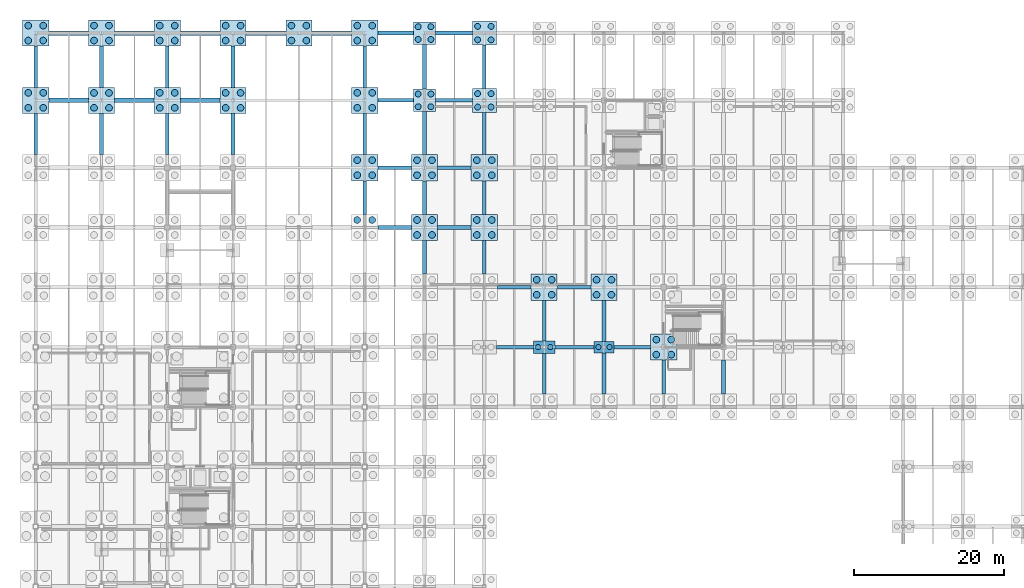
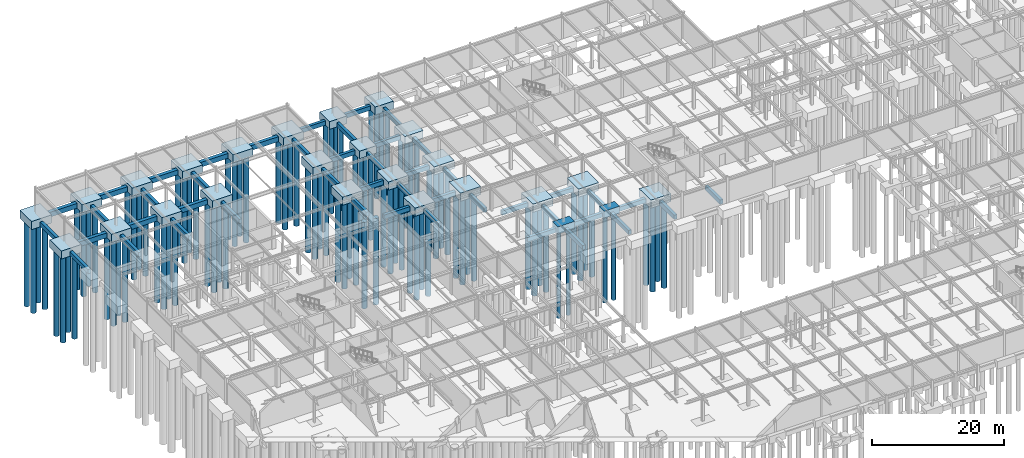
# One storey, part 7 of 72: 98 piles, 71 footings.
"""IFC4 building model written with IfcOpenShell, lengths in metres."""

from ifc_helpers import new_model, si_unit, direction, frame, origin, origin_2d, place, context, subcontext, project, spatial, rectangle, circle, extrude, material, material_profile, profile_set, type_object, element, save


model = new_model("IFC4")

# Units and contexts
model_context = context("Model", 3, precision=1e-05, world=origin(), true_north=direction((0.0, 1.0)))
body_context = subcontext(model_context, "Body", "Model", "MODEL_VIEW")
ifc_project = project(units=[si_unit("LENGTHUNIT", "METRE"), si_unit("AREAUNIT", "SQUARE_METRE"), si_unit("VOLUMEUNIT", "CUBIC_METRE"), si_unit("PLANEANGLEUNIT", "RADIAN"), si_unit("MASSUNIT", "GRAM", prefix="KILO")], contexts=[model_context])

# Site, building, storey
site_placement = place(None, origin())
site = spatial("IfcSite", under=ifc_project, at=site_placement, CompositionType="ELEMENT")
building_placement = place(site_placement, origin())
building = spatial("IfcBuilding", under=site, at=building_placement, Name="Zhaolan Boulevard Law Courts", CompositionType="ELEMENT")
storey_placement = place(building_placement, frame((0.0, 0.0, -4.800048828125)))
storey = spatial("IfcBuildingStorey", under=building, at=storey_placement, Name="B1", CompositionType="ELEMENT", Elevation=-4.800048828125)

# Piles
ifc_material_1 = material(Name="Concrete C40", Category="concrete")
ifc_material_profile_1 = material_profile(ifc_material_1, circle(Radius=0.35009765625, at=origin_2d()), Name="PILE-D700")
ifc_profile_set_1 = profile_set([ifc_material_profile_1], Name="Concrete C40")
pile_type_1 = type_object("IfcPileType", Name="BORED PILE D700", PredefinedType="BORED", material=ifc_profile_set_1)
for number, where, z_axis, x_axis, name in (
    (1, (67.179931640625, 70.0, -1.25), (0.0, 0.0, -1.0), (1.0, 0.0, 0.0), "Bored Pile P-9K-1"),
    (2, (68.820068359375, 70.0, -1.25), (0.0, 0.0, -1.0), (1.0, 0.0, 0.0), "Bored Pile P-9K-2"),
):
    element("IfcPile", number, at=place(storey_placement, frame(where, z_axis=z_axis, x_axis=x_axis)), inside=storey, type_object=pile_type_1, Name=name, PredefinedType="BORED", context=body_context, shape_type="SweptSolid", body=[
        extrude(circle(Radius=0.35009765625, at=origin_2d()), origin(), (0.0, 0.0, 1.0), 16.14990234375),
    ])
for number, where, z_axis, x_axis, name in (
    (3, (75.25, 70.0, -1.199951171875), (0.0, 0.0, -1.0), (1.0, 0.0, 0.0), "Bored Pile P-10K-1"),
    (4, (76.75, 70.0, -1.199951171875), (0.0, 0.0, -1.0), (1.0, 0.0, 0.0), "Bored Pile P-10K-2"),
):
    element("IfcPile", number, at=place(storey_placement, frame(where, z_axis=z_axis, x_axis=x_axis)), inside=storey, type_object=pile_type_1, Name=name, PredefinedType="BORED", context=body_context, shape_type="SweptSolid", body=[
        extrude(circle(Radius=0.35009765625, at=origin_2d()), origin(), (0.0, 0.0, 1.0), 16.199951171875),
    ])
ifc_material_2 = material(Name="Concrete C40", Category="concrete")
ifc_material_profile_2 = material_profile(ifc_material_2, circle(Radius=0.39990234375, at=origin_2d()), Name="PILE-D800")
ifc_profile_set_2 = profile_set([ifc_material_profile_2], Name="Concrete C40")
pile_type_2 = type_object("IfcPileType", Name="BORED PILE D800", PredefinedType="BORED", material=ifc_profile_set_2)
for number, where, z_axis, x_axis, name in (
    (5, (51.14990234375, 102.14990234375, -1.300048828125), (0.0, 0.0, -1.0), (1.0, 0.0, 0.0), "Bored Pile P-7P-1"),
    (6, (52.85009765625, 102.14990234375, -1.300048828125), (0.0, 0.0, -1.0), (1.0, 0.0, 0.0), "Bored Pile P-7P-2"),
    (7, (51.14990234375, 103.85009765625, -1.300048828125), (0.0, 0.0, -1.0), (1.0, 0.0, 0.0), "Bored Pile P-7P-3"),
    (8, (52.85009765625, 103.85009765625, -1.300048828125), (0.0, 0.0, -1.0), (1.0, 0.0, 0.0), "Bored Pile P-7P-4"),
    (9, (51.14990234375, 111.14990234375, -1.300048828125), (0.0, 0.0, -1.0), (1.0, 0.0, 0.0), "Bored Pile P-7Q-1"),
    (10, (52.85009765625, 111.14990234375, -1.300048828125), (0.0, 0.0, -1.0), (1.0, 0.0, 0.0), "Bored Pile P-7Q-2"),
    (11, (51.14990234375, 112.85009765625, -1.300048828125), (0.0, 0.0, -1.0), (1.0, 0.0, 0.0), "Bored Pile P-7Q-3"),
    (12, (52.85009765625, 112.85009765625, -1.300048828125), (0.0, 0.0, -1.0), (1.0, 0.0, 0.0), "Bored Pile P-7Q-4"),
):
    element("IfcPile", number, at=place(storey_placement, frame(where, z_axis=z_axis, x_axis=x_axis)), inside=storey, type_object=pile_type_2, Name=name, PredefinedType="BORED", context=body_context, shape_type="SweptSolid", body=[
        extrude(circle(Radius=0.39990234375, at=origin_2d()), origin(), (0.0, 0.0, 1.0), 16.10009765625),
    ])
for number, where, z_axis, x_axis, name in (
    (13, (59.10009765625, 102.10009765625, -1.349853515625), (0.0, 0.0, -1.0), (1.0, 0.0, 0.0), "Bored Pile P-8P-1"),
    (14, (60.89990234375, 102.10009765625, -1.349853515625), (0.0, 0.0, -1.0), (1.0, 0.0, 0.0), "Bored Pile P-8P-2"),
    (15, (59.10009765625, 103.89990234375, -1.349853515625), (0.0, 0.0, -1.0), (1.0, 0.0, 0.0), "Bored Pile P-8P-3"),
    (16, (60.89990234375, 103.89990234375, -1.349853515625), (0.0, 0.0, -1.0), (1.0, 0.0, 0.0), "Bored Pile P-8P-4"),
    (17, (59.10009765625, 111.10009765625, -1.349853515625), (0.0, 0.0, -1.0), (1.0, 0.0, 0.0), "Bored Pile P-8Q-1"),
    (18, (60.89990234375, 111.10009765625, -1.349853515625), (0.0, 0.0, -1.0), (1.0, 0.0, 0.0), "Bored Pile P-8Q-2"),
    (19, (59.10009765625, 112.89990234375, -1.349853515625), (0.0, 0.0, -1.0), (1.0, 0.0, 0.0), "Bored Pile P-8Q-3"),
    (20, (60.89990234375, 112.89990234375, -1.349853515625), (0.0, 0.0, -1.0), (1.0, 0.0, 0.0), "Bored Pile P-8Q-4"),
):
    element("IfcPile", number, at=place(storey_placement, frame(where, z_axis=z_axis, x_axis=x_axis)), inside=storey, type_object=pile_type_2, Name=name, PredefinedType="BORED", context=body_context, shape_type="SweptSolid", body=[
        extrude(circle(Radius=0.39990234375, at=origin_2d()), origin(), (0.0, 0.0, 1.0), 16.050048828125),
    ])
ifc_material_3 = material(Name="Concrete C40", Category="concrete")
ifc_material_profile_3 = material_profile(ifc_material_3, circle(Radius=0.449951171875, at=origin_2d()), Name="PILE-D900")
ifc_profile_set_3 = profile_set([ifc_material_profile_3], Name="Concrete C40")
pile_type_3 = type_object("IfcPileType", Name="BORED PILE D900", PredefinedType="BORED", material=ifc_profile_set_3)
for number, where, z_axis, x_axis, name in (
    (21, (-1.0, 102.0, -1.39990234375), (0.0, 0.0, -1.0), (1.0, 0.0, 0.0), "Bored Pile P-1P-1"),
    (22, (1.0, 102.0, -1.39990234375), (0.0, 0.0, -1.0), (1.0, 0.0, 0.0), "Bored Pile P-1P-2"),
    (23, (-1.0, 104.0, -1.39990234375), (0.0, 0.0, -1.0), (1.0, 0.0, 0.0), "Bored Pile P-1P-3"),
    (24, (1.0, 104.0, -1.39990234375), (0.0, 0.0, -1.0), (1.0, 0.0, 0.0), "Bored Pile P-1P-4"),
    (25, (-1.0, 111.0, -1.39990234375), (0.0, 0.0, -1.0), (1.0, 0.0, 0.0), "Bored Pile P-1Q-1"),
    (26, (1.0, 111.0, -1.39990234375), (0.0, 0.0, -1.0), (1.0, 0.0, 0.0), "Bored Pile P-1Q-2"),
    (27, (-1.0, 113.0, -1.39990234375), (0.0, 0.0, -1.0), (1.0, 0.0, 0.0), "Bored Pile P-1Q-3"),
    (28, (1.0, 113.0, -1.39990234375), (0.0, 0.0, -1.0), (1.0, 0.0, 0.0), "Bored Pile P-1Q-4"),
    (29, (7.800048828125, 102.0, -1.39990234375), (0.0, 0.0, -1.0), (1.0, 0.0, 0.0), "Bored Pile P-2P-1"),
    (30, (9.800048828125, 102.0, -1.39990234375), (0.0, 0.0, -1.0), (1.0, 0.0, 0.0), "Bored Pile P-2P-2"),
    (31, (7.800048828125, 104.0, -1.39990234375), (0.0, 0.0, -1.0), (1.0, 0.0, 0.0), "Bored Pile P-2P-3"),
    (32, (9.800048828125, 104.0, -1.39990234375), (0.0, 0.0, -1.0), (1.0, 0.0, 0.0), "Bored Pile P-2P-4"),
    (33, (7.800048828125, 111.0, -1.39990234375), (0.0, 0.0, -1.0), (1.0, 0.0, 0.0), "Bored Pile P-2Q-1"),
    (34, (9.800048828125, 111.0, -1.39990234375), (0.0, 0.0, -1.0), (1.0, 0.0, 0.0), "Bored Pile P-2Q-2"),
    (35, (7.800048828125, 113.0, -1.39990234375), (0.0, 0.0, -1.0), (1.0, 0.0, 0.0), "Bored Pile P-2Q-3"),
    (36, (9.800048828125, 113.0, -1.39990234375), (0.0, 0.0, -1.0), (1.0, 0.0, 0.0), "Bored Pile P-2Q-4"),
    (37, (16.60009765625, 102.0, -1.39990234375), (0.0, 0.0, -1.0), (1.0, 0.0, 0.0), "Bored Pile P-3P-1"),
    (38, (18.60009765625, 102.0, -1.39990234375), (0.0, 0.0, -1.0), (1.0, 0.0, 0.0), "Bored Pile P-3P-2"),
    (39, (16.60009765625, 104.0, -1.39990234375), (0.0, 0.0, -1.0), (1.0, 0.0, 0.0), "Bored Pile P-3P-3"),
    (40, (18.60009765625, 104.0, -1.39990234375), (0.0, 0.0, -1.0), (1.0, 0.0, 0.0), "Bored Pile P-3P-4"),
    (41, (16.60009765625, 111.0, -1.39990234375), (0.0, 0.0, -1.0), (1.0, 0.0, 0.0), "Bored Pile P-3Q-1"),
    (42, (18.60009765625, 111.0, -1.39990234375), (0.0, 0.0, -1.0), (1.0, 0.0, 0.0), "Bored Pile P-3Q-2"),
    (43, (16.60009765625, 113.0, -1.39990234375), (0.0, 0.0, -1.0), (1.0, 0.0, 0.0), "Bored Pile P-3Q-3"),
    (44, (18.60009765625, 113.0, -1.39990234375), (0.0, 0.0, -1.0), (1.0, 0.0, 0.0), "Bored Pile P-3Q-4"),
    (45, (25.39990234375, 102.0, -1.39990234375), (0.0, 0.0, -1.0), (1.0, 0.0, 0.0), "Bored Pile P-4P-1"),
    (46, (27.39990234375, 102.0, -1.39990234375), (0.0, 0.0, -1.0), (1.0, 0.0, 0.0), "Bored Pile P-4P-2"),
    (47, (25.39990234375, 104.0, -1.39990234375), (0.0, 0.0, -1.0), (1.0, 0.0, 0.0), "Bored Pile P-4P-3"),
    (48, (27.39990234375, 104.0, -1.39990234375), (0.0, 0.0, -1.0), (1.0, 0.0, 0.0), "Bored Pile P-4P-4"),
    (49, (25.39990234375, 111.0, -1.39990234375), (0.0, 0.0, -1.0), (1.0, 0.0, 0.0), "Bored Pile P-4Q-1"),
    (50, (27.39990234375, 111.0, -1.39990234375), (0.0, 0.0, -1.0), (1.0, 0.0, 0.0), "Bored Pile P-4Q-2"),
    (51, (25.39990234375, 113.0, -1.39990234375), (0.0, 0.0, -1.0), (1.0, 0.0, 0.0), "Bored Pile P-4Q-3"),
    (52, (27.39990234375, 113.0, -1.39990234375), (0.0, 0.0, -1.0), (1.0, 0.0, 0.0), "Bored Pile P-4Q-4"),
    (53, (34.199951171875, 111.0, -1.39990234375), (0.0, 0.0, -1.0), (1.0, 0.0, 0.0), "Bored Pile P-5Q-1"),
    (54, (36.199951171875, 111.0, -1.39990234375), (0.0, 0.0, -1.0), (1.0, 0.0, 0.0), "Bored Pile P-5Q-2"),
    (55, (34.199951171875, 113.0, -1.39990234375), (0.0, 0.0, -1.0), (1.0, 0.0, 0.0), "Bored Pile P-5Q-3"),
    (56, (36.199951171875, 113.0, -1.39990234375), (0.0, 0.0, -1.0), (1.0, 0.0, 0.0), "Bored Pile P-5Q-4"),
    (57, (43.0, 87.0, -1.39990234375), (0.0, 0.0, -1.0), (1.0, 0.0, 0.0), "Bored Pile P-6M-3"),
    (58, (45.0, 87.0, -1.39990234375), (0.0, 0.0, -1.0), (1.0, 0.0, 0.0), "Bored Pile P-6M-4"),
    (59, (43.0, 93.0, -1.39990234375), (0.0, 0.0, -1.0), (1.0, 0.0, 0.0), "Bored Pile P-6N-1"),
    (60, (45.0, 93.0, -1.39990234375), (0.0, 0.0, -1.0), (1.0, 0.0, 0.0), "Bored Pile P-6N-2"),
    (61, (43.0, 95.0, -1.39990234375), (0.0, 0.0, -1.0), (1.0, 0.0, 0.0), "Bored Pile P-6N-3"),
    (62, (45.0, 95.0, -1.39990234375), (0.0, 0.0, -1.0), (1.0, 0.0, 0.0), "Bored Pile P-6N-4"),
    (63, (43.0, 102.0, -1.39990234375), (0.0, 0.0, -1.0), (1.0, 0.0, 0.0), "Bored Pile P-6P-1"),
    (64, (45.0, 102.0, -1.39990234375), (0.0, 0.0, -1.0), (1.0, 0.0, 0.0), "Bored Pile P-6P-2"),
    (65, (43.0, 104.0, -1.39990234375), (0.0, 0.0, -1.0), (1.0, 0.0, 0.0), "Bored Pile P-6P-3"),
    (66, (45.0, 104.0, -1.39990234375), (0.0, 0.0, -1.0), (1.0, 0.0, 0.0), "Bored Pile P-6P-4"),
    (67, (43.0, 111.0, -1.39990234375), (0.0, 0.0, -1.0), (1.0, 0.0, 0.0), "Bored Pile P-6Q-1"),
    (68, (45.0, 111.0, -1.39990234375), (0.0, 0.0, -1.0), (1.0, 0.0, 0.0), "Bored Pile P-6Q-2"),
    (69, (43.0, 113.0, -1.39990234375), (0.0, 0.0, -1.0), (1.0, 0.0, 0.0), "Bored Pile P-6Q-3"),
    (70, (45.0, 113.0, -1.39990234375), (0.0, 0.0, -1.0), (1.0, 0.0, 0.0), "Bored Pile P-6Q-4"),
    (71, (51.0, 85.0, -1.39990234375), (0.0, 0.0, -1.0), (1.0, 0.0, 0.0), "Bored Pile P-7M-1"),
    (72, (53.0, 85.0, -1.39990234375), (0.0, 0.0, -1.0), (1.0, 0.0, 0.0), "Bored Pile P-7M-2"),
    (73, (51.0, 87.0, -1.39990234375), (0.0, 0.0, -1.0), (1.0, 0.0, 0.0), "Bored Pile P-7M-3"),
    (74, (53.0, 87.0, -1.39990234375), (0.0, 0.0, -1.0), (1.0, 0.0, 0.0), "Bored Pile P-7M-4"),
    (75, (51.0, 93.0, -1.39990234375), (0.0, 0.0, -1.0), (1.0, 0.0, 0.0), "Bored Pile P-7N-1"),
    (76, (53.0, 93.0, -1.39990234375), (0.0, 0.0, -1.0), (1.0, 0.0, 0.0), "Bored Pile P-7N-2"),
    (77, (51.0, 95.0, -1.39990234375), (0.0, 0.0, -1.0), (1.0, 0.0, 0.0), "Bored Pile P-7N-3"),
    (78, (53.0, 95.0, -1.39990234375), (0.0, 0.0, -1.0), (1.0, 0.0, 0.0), "Bored Pile P-7N-4"),
    (79, (59.0, 85.0, -1.39990234375), (0.0, 0.0, -1.0), (1.0, 0.0, 0.0), "Bored Pile P-8M-1"),
    (80, (61.0, 85.0, -1.39990234375), (0.0, 0.0, -1.0), (1.0, 0.0, 0.0), "Bored Pile P-8M-2"),
    (81, (59.0, 87.0, -1.39990234375), (0.0, 0.0, -1.0), (1.0, 0.0, 0.0), "Bored Pile P-8M-3"),
    (82, (61.0, 87.0, -1.39990234375), (0.0, 0.0, -1.0), (1.0, 0.0, 0.0), "Bored Pile P-8M-4"),
    (83, (59.0, 93.0, -1.39990234375), (0.0, 0.0, -1.0), (1.0, 0.0, 0.0), "Bored Pile P-8N-1"),
    (84, (61.0, 93.0, -1.39990234375), (0.0, 0.0, -1.0), (1.0, 0.0, 0.0), "Bored Pile P-8N-2"),
    (85, (59.0, 95.0, -1.39990234375), (0.0, 0.0, -1.0), (1.0, 0.0, 0.0), "Bored Pile P-8N-3"),
    (86, (61.0, 95.0, -1.39990234375), (0.0, 0.0, -1.0), (1.0, 0.0, 0.0), "Bored Pile P-8N-4"),
    (87, (67.0, 77.0, -1.39990234375), (0.0, 0.0, -1.0), (1.0, 0.0, 0.0), "Bored Pile P-9L-1"),
    (88, (69.0, 77.0, -1.39990234375), (0.0, 0.0, -1.0), (1.0, 0.0, 0.0), "Bored Pile P-9L-2"),
    (89, (67.0, 79.0, -1.39990234375), (0.0, 0.0, -1.0), (1.0, 0.0, 0.0), "Bored Pile P-9L-3"),
    (90, (69.0, 79.0, -1.39990234375), (0.0, 0.0, -1.0), (1.0, 0.0, 0.0), "Bored Pile P-9L-4"),
    (91, (75.0, 77.0, -1.39990234375), (0.0, 0.0, -1.0), (1.0, 0.0, 0.0), "Bored Pile P-10L-1"),
    (92, (77.0, 77.0, -1.39990234375), (0.0, 0.0, -1.0), (1.0, 0.0, 0.0), "Bored Pile P-10L-2"),
    (93, (75.0, 79.0, -1.39990234375), (0.0, 0.0, -1.0), (1.0, 0.0, 0.0), "Bored Pile P-10L-3"),
    (94, (77.0, 79.0, -1.39990234375), (0.0, 0.0, -1.0), (1.0, 0.0, 0.0), "Bored Pile P-10L-4"),
    (95, (83.0, 69.0, -1.39990234375), (0.0, 0.0, -1.0), (1.0, 0.0, 0.0), "Bored Pile P-11K-1"),
    (96, (85.0, 69.0, -1.39990234375), (0.0, 0.0, -1.0), (1.0, 0.0, 0.0), "Bored Pile P-11K-2"),
    (97, (83.0, 71.0, -1.39990234375), (0.0, 0.0, -1.0), (1.0, 0.0, 0.0), "Bored Pile P-11K-3"),
    (98, (85.0, 71.0, -1.39990234375), (0.0, 0.0, -1.0), (1.0, 0.0, 0.0), "Bored Pile P-11K-4"),
):
    element("IfcPile", number, at=place(storey_placement, frame(where, z_axis=z_axis, x_axis=x_axis)), inside=storey, type_object=pile_type_3, Name=name, PredefinedType="BORED", context=body_context, shape_type="SweptSolid", body=[
        extrude(circle(Radius=0.449951171875, at=origin_2d()), origin(), (0.0, 0.0, 1.0), 16.0),
    ])

# Footings
ifc_material_4 = material(Name="Concrete C40", Category="concrete")
footing_type_1 = type_object("IfcFootingType", Name="PILE CAP 2700X1550X1300", PredefinedType="PILE_CAP", material=ifc_material_4)
footing_1_placement = place(storey_placement, frame((76.0, 70.0, -1.2998046875), z_axis=(0.0, 0.0, 1.0), x_axis=(1.0, 0.0, 0.0)))
element("IfcFooting", 99, at=footing_1_placement, inside=storey, type_object=footing_type_1, Name="Pile Cap PC-10K", PredefinedType="PILE_CAP", context=body_context, shape_type="SweptSolid", body=[
    extrude(rectangle(XDim=2.699951171875, YDim=1.550048828125, at=origin_2d()), origin(), (0.0, 0.0, 1.0), 1.300048828125),
])
ifc_material_5 = material(Name="Concrete C40", Category="concrete")
footing_type_2 = type_object("IfcFootingType", Name="PILE CAP 2900X1650X1350", PredefinedType="PILE_CAP", material=ifc_material_5)
footing_2_placement = place(storey_placement, frame((68.0, 70.0, -1.35009765625), z_axis=(0.0, 0.0, 1.0), x_axis=(1.0, 0.0, 0.0)))
element("IfcFooting", 100, at=footing_2_placement, inside=storey, type_object=footing_type_2, Name="Pile Cap PC-9K", PredefinedType="PILE_CAP", context=body_context, shape_type="SweptSolid", body=[
    extrude(rectangle(XDim=2.89990234375, YDim=1.64990234375, at=origin_2d()), origin(), (0.0, 0.0, 1.0), 1.35009765625),
])
ifc_material_6 = material(Name="Concrete C40", Category="concrete")
footing_type_3 = type_object("IfcFootingType", Name="PILE CAP 3000X3000X1400", PredefinedType="PILE_CAP", material=ifc_material_6)
for number, where, z_axis, x_axis, name in (
    (101, (52.0, 103.0, -1.39990234375), (0.0, 0.0, 1.0), (1.0, 0.0, 0.0), "Pile Cap PC-7P"),
    (102, (52.0, 112.0, -1.39990234375), (0.0, 0.0, 1.0), (1.0, 0.0, 0.0), "Pile Cap PC-7Q"),
):
    element("IfcFooting", number, at=place(storey_placement, frame(where, z_axis=z_axis, x_axis=x_axis)), inside=storey, type_object=footing_type_3, Name=name, PredefinedType="PILE_CAP", context=body_context, shape_type="SweptSolid", body=[
        extrude(rectangle(XDim=3.0, YDim=3.0, at=origin_2d()), origin(), (0.0, 0.0, 1.0), 1.39990234375),
    ])
ifc_material_7 = material(Name="Concrete C40", Category="concrete")
footing_type_4 = type_object("IfcFootingType", Name="PILE CAP 3200X3200X1450", PredefinedType="PILE_CAP", material=ifc_material_7)
for number, where, z_axis, x_axis, name in (
    (103, (60.0, 103.0, -1.44970703125), (0.0, 0.0, 1.0), (1.0, 0.0, 0.0), "Pile Cap PC-8P"),
    (104, (60.0, 112.0, -1.44970703125), (0.0, 0.0, 1.0), (1.0, 0.0, 0.0), "Pile Cap PC-8Q"),
):
    element("IfcFooting", number, at=place(storey_placement, frame(where, z_axis=z_axis, x_axis=x_axis)), inside=storey, type_object=footing_type_4, Name=name, PredefinedType="PILE_CAP", context=body_context, shape_type="SweptSolid", body=[
        extrude(rectangle(XDim=3.199951171875, YDim=3.199951171875, at=origin_2d()), origin(), (0.0, 0.0, 1.0), 1.449951171875),
    ])
ifc_material_8 = material(Name="Concrete C40", Category="concrete")
footing_type_5 = type_object("IfcFootingType", Name="PILE CAP 3500X3500X1500", PredefinedType="PILE_CAP", material=ifc_material_8)
for number, where, z_axis, x_axis, name in (
    (105, (0.0, 103.0, -1.5), (0.0, 0.0, 1.0), (1.0, 0.0, 0.0), "Pile Cap PC-1P"),
    (106, (0.0, 112.0, -1.5), (0.0, 0.0, 1.0), (1.0, 0.0, 0.0), "Pile Cap PC-1Q"),
    (107, (8.800048828125, 103.0, -1.5), (0.0, 0.0, 1.0), (1.0, 0.0, 0.0), "Pile Cap PC-2P"),
    (108, (8.800048828125, 112.0, -1.5), (0.0, 0.0, 1.0), (1.0, 0.0, 0.0), "Pile Cap PC-2Q"),
    (109, (17.60009765625, 103.0, -1.5), (0.0, 0.0, 1.0), (1.0, 0.0, 0.0), "Pile Cap PC-3P"),
    (110, (17.60009765625, 112.0, -1.5), (0.0, 0.0, 1.0), (1.0, 0.0, 0.0), "Pile Cap PC-3Q"),
    (111, (26.39990234375, 103.0, -1.5), (0.0, 0.0, 1.0), (1.0, 0.0, 0.0), "Pile Cap PC-4P"),
    (112, (26.39990234375, 112.0, -1.5), (0.0, 0.0, 1.0), (1.0, 0.0, 0.0), "Pile Cap PC-4Q"),
    (113, (35.199951171875, 112.0, -1.5), (0.0, 0.0, 1.0), (1.0, 0.0, 0.0), "Pile Cap PC-5Q"),
    (114, (44.0, 94.0, -1.5), (0.0, 0.0, 1.0), (1.0, 0.0, 0.0), "Pile Cap PC-6N"),
    (115, (44.0, 103.0, -1.5), (0.0, 0.0, 1.0), (1.0, 0.0, 0.0), "Pile Cap PC-6P"),
    (116, (44.0, 112.0, -1.5), (0.0, 0.0, 1.0), (1.0, 0.0, 0.0), "Pile Cap PC-6Q"),
    (117, (52.0, 86.0, -1.5), (0.0, 0.0, 1.0), (1.0, 0.0, 0.0), "Pile Cap PC-7M"),
    (118, (52.0, 94.0, -1.5), (0.0, 0.0, 1.0), (1.0, 0.0, 0.0), "Pile Cap PC-7N"),
    (119, (60.0, 86.0, -1.5), (0.0, 0.0, 1.0), (1.0, 0.0, 0.0), "Pile Cap PC-8M"),
    (120, (60.0, 94.0, -1.5), (0.0, 0.0, 1.0), (1.0, 0.0, 0.0), "Pile Cap PC-8N"),
    (121, (68.0, 78.0, -1.5), (0.0, 0.0, 1.0), (1.0, 0.0, 0.0), "Pile Cap PC-9L"),
    (122, (76.0, 78.0, -1.5), (0.0, 0.0, 1.0), (1.0, 0.0, 0.0), "Pile Cap PC-10L"),
    (123, (84.0, 70.0, -1.5), (0.0, 0.0, 1.0), (1.0, 0.0, 0.0), "Pile Cap PC-11K"),
):
    element("IfcFooting", number, at=place(storey_placement, frame(where, z_axis=z_axis, x_axis=x_axis)), inside=storey, type_object=footing_type_5, Name=name, PredefinedType="PILE_CAP", context=body_context, shape_type="SweptSolid", body=[
        extrude(rectangle(XDim=3.5, YDim=3.5, at=origin_2d()), origin(), (0.0, 0.0, 1.0), 1.5),
    ])
ifc_material_9 = material(Name="Concrete C40", Category="concrete")
ifc_material_profile_4 = material_profile(ifc_material_9, rectangle(XDim=0.5, YDim=0.800048828125, at=origin_2d()), Name="RC500x800")
ifc_profile_set_4 = profile_set([ifc_material_profile_4], Name="Concrete C40")
footing_type_6 = type_object("IfcFootingType", Name="TIE BEAM 500X800", PredefinedType="FOOTING_BEAM", material=ifc_profile_set_4)
for number, where, z_axis, x_axis, name in (
    (124, (45.751953125, 86.0, -1.0), (1.0, 0.0, 0.0), (0.0, 1.0, 0.0), "Foundation Tie Beam TBX-6-7-M"),
    (125, (45.751953125, 94.0, -1.0), (1.0, 0.0, 0.0), (0.0, 1.0, 0.0), "Foundation Tie Beam TBX-6-7-N"),
):
    element("IfcFooting", number, at=place(storey_placement, frame(where, z_axis=z_axis, x_axis=x_axis)), inside=storey, type_object=footing_type_6, Name=name, PredefinedType="FOOTING_BEAM", context=body_context, shape_type="SweptSolid", body=[
        extrude(rectangle(XDim=0.5, YDim=0.800048828125, at=origin_2d()), origin(), (0.0, 0.0, 1.0), 4.49609375),
    ])
for number, where, z_axis, x_axis, name in (
    (126, (45.751953125, 103.0, -1.0), (1.0, 0.0, 0.0), (0.0, 1.0, 0.0), "Foundation Tie Beam TBX-6-7-P"),
    (127, (45.751953125, 112.0, -1.0), (1.0, 0.0, 0.0), (0.0, 1.0, 0.0), "Foundation Tie Beam TBX-6-7-Q"),
):
    element("IfcFooting", number, at=place(storey_placement, frame(where, z_axis=z_axis, x_axis=x_axis)), inside=storey, type_object=footing_type_6, Name=name, PredefinedType="FOOTING_BEAM", context=body_context, shape_type="SweptSolid", body=[
        extrude(rectangle(XDim=0.5, YDim=0.800048828125, at=origin_2d()), origin(), (0.0, 0.0, 1.0), 4.74609375),
    ])
for number, where, z_axis, x_axis, name in (
    (128, (53.751953125, 86.0, -1.0), (1.0, 0.0, 0.0), (0.0, 1.0, 0.0), "Foundation Tie Beam TBX-7-8-M"),
    (129, (53.751953125, 94.0, -1.0), (1.0, 0.0, 0.0), (0.0, 1.0, 0.0), "Foundation Tie Beam TBX-7-8-N"),
):
    element("IfcFooting", number, at=place(storey_placement, frame(where, z_axis=z_axis, x_axis=x_axis)), inside=storey, type_object=footing_type_6, Name=name, PredefinedType="FOOTING_BEAM", context=body_context, shape_type="SweptSolid", body=[
        extrude(rectangle(XDim=0.5, YDim=0.800048828125, at=origin_2d()), origin(), (0.0, 0.0, 1.0), 4.49609375),
    ])
for number, where, z_axis, x_axis, name in (
    (130, (53.501953125, 103.0, -1.0), (1.0, 0.0, 0.0), (0.0, 1.0, 0.0), "Foundation Tie Beam TBX-7-8-P"),
    (131, (53.501953125, 112.0, -1.0), (1.0, 0.0, 0.0), (0.0, 1.0, 0.0), "Foundation Tie Beam TBX-7-8-Q"),
):
    element("IfcFooting", number, at=place(storey_placement, frame(where, z_axis=z_axis, x_axis=x_axis)), inside=storey, type_object=footing_type_6, Name=name, PredefinedType="FOOTING_BEAM", context=body_context, shape_type="SweptSolid", body=[
        extrude(rectangle(XDim=0.5, YDim=0.800048828125, at=origin_2d()), origin(), (0.0, 0.0, 1.0), 4.89599609375),
    ])
footing_3_placement = place(storey_placement, frame((61.60205078125, 70.0, -1.0), z_axis=(1.0, 0.0, 0.0), x_axis=(0.0, 1.0, 0.0)))
element("IfcFooting", 132, at=footing_3_placement, inside=storey, type_object=footing_type_6, Name="Foundation Tie Beam TBX-8-9-K", PredefinedType="FOOTING_BEAM", context=body_context, shape_type="SweptSolid", body=[
    extrude(rectangle(XDim=0.5, YDim=0.800048828125, at=origin_2d()), origin(), (0.0, 0.0, 1.0), 4.946044921875),
])
footing_4_placement = place(storey_placement, frame((61.751953125, 78.0, -1.0), z_axis=(1.0, 0.0, 0.0), x_axis=(0.0, 1.0, 0.0)))
element("IfcFooting", 133, at=footing_4_placement, inside=storey, type_object=footing_type_6, Name="Foundation Tie Beam TBX-8-9-L", PredefinedType="FOOTING_BEAM", context=body_context, shape_type="SweptSolid", body=[
    extrude(rectangle(XDim=0.5, YDim=0.800048828125, at=origin_2d()), origin(), (0.0, 0.0, 1.0), 4.49609375),
])
footing_5_placement = place(storey_placement, frame((69.451904296875, 70.0, -1.0), z_axis=(1.0, 0.0, 0.0), x_axis=(0.0, 1.0, 0.0)))
element("IfcFooting", 134, at=footing_5_placement, inside=storey, type_object=footing_type_6, Name="Foundation Tie Beam TBX-9-10-K", PredefinedType="FOOTING_BEAM", context=body_context, shape_type="SweptSolid", body=[
    extrude(rectangle(XDim=0.5, YDim=0.800048828125, at=origin_2d()), origin(), (0.0, 0.0, 1.0), 5.196044921875),
])
footing_6_placement = place(storey_placement, frame((69.751953125, 78.0, -1.0), z_axis=(1.0, 0.0, 0.0), x_axis=(0.0, 1.0, 0.0)))
element("IfcFooting", 135, at=footing_6_placement, inside=storey, type_object=footing_type_6, Name="Foundation Tie Beam TBX-9-10-L", PredefinedType="FOOTING_BEAM", context=body_context, shape_type="SweptSolid", body=[
    extrude(rectangle(XDim=0.5, YDim=0.800048828125, at=origin_2d()), origin(), (0.0, 0.0, 1.0), 4.49609375),
])
footing_7_placement = place(storey_placement, frame((77.35205078125, 70.0, -1.0), z_axis=(1.0, 0.0, 0.0), x_axis=(0.0, 1.0, 0.0)))
element("IfcFooting", 136, at=footing_7_placement, inside=storey, type_object=footing_type_6, Name="Foundation Tie Beam TBX-10-11-K", PredefinedType="FOOTING_BEAM", context=body_context, shape_type="SweptSolid", body=[
    extrude(rectangle(XDim=0.5, YDim=0.800048828125, at=origin_2d()), origin(), (0.0, 0.0, 1.0), 4.89599609375),
])
for number, where, z_axis, x_axis, name in (
    (137, (0.0, 95.751953125, -1.0), (0.0, 1.0, 0.0), (-1.0, 0.0, 0.0), "Foundation Tie Beam TBY-1-N-P"),
    (138, (0.0, 104.751953125, -1.0), (0.0, 1.0, 0.0), (-1.0, 0.0, 0.0), "Foundation Tie Beam TBY-1-P-Q"),
    (139, (8.800048828125, 95.751953125, -1.0), (0.0, 1.0, 0.0), (-1.0, 0.0, 0.0), "Foundation Tie Beam TBY-2-N-P"),
    (140, (8.800048828125, 104.751953125, -1.0), (0.0, 1.0, 0.0), (-1.0, 0.0, 0.0), "Foundation Tie Beam TBY-2-P-Q"),
    (141, (17.60009765625, 95.751953125, -1.0), (0.0, 1.0, 0.0), (-1.0, 0.0, 0.0), "Foundation Tie Beam TBY-3-N-P"),
    (142, (17.60009765625, 104.751953125, -1.0), (0.0, 1.0, 0.0), (-1.0, 0.0, 0.0), "Foundation Tie Beam TBY-3-P-Q"),
    (143, (26.39990234375, 95.751953125, -1.0), (0.0, 1.0, 0.0), (-1.0, 0.0, 0.0), "Foundation Tie Beam TBY-4-N-P"),
    (144, (26.39990234375, 104.751953125, -1.0), (0.0, 1.0, 0.0), (-1.0, 0.0, 0.0), "Foundation Tie Beam TBY-4-P-Q"),
):
    element("IfcFooting", number, at=place(storey_placement, frame(where, z_axis=z_axis, x_axis=x_axis)), inside=storey, type_object=footing_type_6, Name=name, PredefinedType="FOOTING_BEAM", context=body_context, shape_type="SweptSolid", body=[
        extrude(rectangle(XDim=0.5, YDim=0.800048828125, at=origin_2d()), origin(), (0.0, 0.0, 1.0), 5.49609375),
    ])
footing_8_placement = place(storey_placement, frame((44.0, 87.751953125, -1.0), z_axis=(0.0, 1.0, 0.0), x_axis=(-1.0, 0.0, 0.0)))
element("IfcFooting", 145, at=footing_8_placement, inside=storey, type_object=footing_type_6, Name="Foundation Tie Beam TBY-6-M-N", PredefinedType="FOOTING_BEAM", context=body_context, shape_type="SweptSolid", body=[
    extrude(rectangle(XDim=0.5, YDim=0.800048828125, at=origin_2d()), origin(), (0.0, 0.0, 1.0), 4.49609375),
])
for number, where, z_axis, x_axis, name in (
    (146, (44.0, 95.751953125, -1.0), (0.0, 1.0, 0.0), (-1.0, 0.0, 0.0), "Foundation Tie Beam TBY-6-N-P"),
    (147, (44.0, 104.751953125, -1.0), (0.0, 1.0, 0.0), (-1.0, 0.0, 0.0), "Foundation Tie Beam TBY-6-P-Q"),
):
    element("IfcFooting", number, at=place(storey_placement, frame(where, z_axis=z_axis, x_axis=x_axis)), inside=storey, type_object=footing_type_6, Name=name, PredefinedType="FOOTING_BEAM", context=body_context, shape_type="SweptSolid", body=[
        extrude(rectangle(XDim=0.5, YDim=0.800048828125, at=origin_2d()), origin(), (0.0, 0.0, 1.0), 5.49609375),
    ])
for number, where, z_axis, x_axis, name in (
    (148, (52.0, 79.751953125, -1.0), (0.0, 1.0, 0.0), (-1.0, 0.0, 0.0), "Foundation Tie Beam TBY-7-L-M"),
    (149, (52.0, 87.751953125, -1.0), (0.0, 1.0, 0.0), (-1.0, 0.0, 0.0), "Foundation Tie Beam TBY-7-M-N"),
):
    element("IfcFooting", number, at=place(storey_placement, frame(where, z_axis=z_axis, x_axis=x_axis)), inside=storey, type_object=footing_type_6, Name=name, PredefinedType="FOOTING_BEAM", context=body_context, shape_type="SweptSolid", body=[
        extrude(rectangle(XDim=0.5, YDim=0.800048828125, at=origin_2d()), origin(), (0.0, 0.0, 1.0), 4.49609375),
    ])
footing_9_placement = place(storey_placement, frame((52.0, 95.751953125, -1.0), z_axis=(0.0, 1.0, 0.0), x_axis=(-1.0, 0.0, 0.0)))
element("IfcFooting", 150, at=footing_9_placement, inside=storey, type_object=footing_type_6, Name="Foundation Tie Beam TBY-7-N-P", PredefinedType="FOOTING_BEAM", context=body_context, shape_type="SweptSolid", body=[
    extrude(rectangle(XDim=0.5, YDim=0.800048828125, at=origin_2d()), origin(), (0.0, 0.0, 1.0), 5.74609375),
])
footing_10_placement = place(storey_placement, frame((52.0, 104.501953125, -1.0), z_axis=(0.0, 1.0, 0.0), x_axis=(-1.0, 0.0, 0.0)))
element("IfcFooting", 151, at=footing_10_placement, inside=storey, type_object=footing_type_6, Name="Foundation Tie Beam TBY-7-P-Q", PredefinedType="FOOTING_BEAM", context=body_context, shape_type="SweptSolid", body=[
    extrude(rectangle(XDim=0.5, YDim=0.800048828125, at=origin_2d()), origin(), (0.0, 0.0, 1.0), 5.99609375),
])
for number, where, z_axis, x_axis, name in (
    (152, (60.0, 79.751953125, -1.0), (0.0, 1.0, 0.0), (-1.0, 0.0, 0.0), "Foundation Tie Beam TBY-8-L-M"),
    (153, (60.0, 87.751953125, -1.0), (0.0, 1.0, 0.0), (-1.0, 0.0, 0.0), "Foundation Tie Beam TBY-8-M-N"),
):
    element("IfcFooting", number, at=place(storey_placement, frame(where, z_axis=z_axis, x_axis=x_axis)), inside=storey, type_object=footing_type_6, Name=name, PredefinedType="FOOTING_BEAM", context=body_context, shape_type="SweptSolid", body=[
        extrude(rectangle(XDim=0.5, YDim=0.800048828125, at=origin_2d()), origin(), (0.0, 0.0, 1.0), 4.49609375),
    ])
footing_11_placement = place(storey_placement, frame((60.0, 95.751953125, -1.0), z_axis=(0.0, 1.0, 0.0), x_axis=(-1.0, 0.0, 0.0)))
element("IfcFooting", 154, at=footing_11_placement, inside=storey, type_object=footing_type_6, Name="Foundation Tie Beam TBY-8-N-P", PredefinedType="FOOTING_BEAM", context=body_context, shape_type="SweptSolid", body=[
    extrude(rectangle(XDim=0.5, YDim=0.800048828125, at=origin_2d()), origin(), (0.0, 0.0, 1.0), 5.64599609375),
])
footing_12_placement = place(storey_placement, frame((60.0, 104.60205078125, -1.0), z_axis=(0.0, 1.0, 0.0), x_axis=(-1.0, 0.0, 0.0)))
element("IfcFooting", 155, at=footing_12_placement, inside=storey, type_object=footing_type_6, Name="Foundation Tie Beam TBY-8-P-Q", PredefinedType="FOOTING_BEAM", context=body_context, shape_type="SweptSolid", body=[
    extrude(rectangle(XDim=0.5, YDim=0.800048828125, at=origin_2d()), origin(), (0.0, 0.0, 1.0), 5.7958984375),
])
for number, where, z_axis, x_axis, name in (
    (156, (68.0, 63.751953125, -1.0), (0.0, 1.0, 0.0), (-1.0, 0.0, 0.0), "Foundation Tie Beam TBY-9-J-K"),
    (157, (68.0, 70.826904296875, -1.0), (0.0, 1.0, 0.0), (-1.0, 0.0, 0.0), "Foundation Tie Beam TBY-9-K-L"),
):
    element("IfcFooting", number, at=place(storey_placement, frame(where, z_axis=z_axis, x_axis=x_axis)), inside=storey, type_object=footing_type_6, Name=name, PredefinedType="FOOTING_BEAM", context=body_context, shape_type="SweptSolid", body=[
        extrude(rectangle(XDim=0.5, YDim=0.800048828125, at=origin_2d()), origin(), (0.0, 0.0, 1.0), 5.421142578125),
    ])
for number, where, z_axis, x_axis, name in (
    (158, (76.0, 63.751953125, -1.0), (0.0, 1.0, 0.0), (-1.0, 0.0, 0.0), "Foundation Tie Beam TBY-10-J-K"),
    (159, (76.0, 70.777099609375, -1.0), (0.0, 1.0, 0.0), (-1.0, 0.0, 0.0), "Foundation Tie Beam TBY-10-K-L"),
):
    element("IfcFooting", number, at=place(storey_placement, frame(where, z_axis=z_axis, x_axis=x_axis)), inside=storey, type_object=footing_type_6, Name=name, PredefinedType="FOOTING_BEAM", context=body_context, shape_type="SweptSolid", body=[
        extrude(rectangle(XDim=0.5, YDim=0.800048828125, at=origin_2d()), origin(), (0.0, 0.0, 1.0), 5.470947265625),
    ])
for number, where, z_axis, x_axis, name in (
    (160, (84.0, 63.751953125, -1.0), (0.0, 1.0, 0.0), (-1.0, 0.0, 0.0), "Foundation Tie Beam TBY-11-J-K"),
    (161, (92.0, 63.751953125, -1.0), (0.0, 1.0, 0.0), (-1.0, 0.0, 0.0), "Foundation Tie Beam TBY-12-J-K"),
):
    element("IfcFooting", number, at=place(storey_placement, frame(where, z_axis=z_axis, x_axis=x_axis)), inside=storey, type_object=footing_type_6, Name=name, PredefinedType="FOOTING_BEAM", context=body_context, shape_type="SweptSolid", body=[
        extrude(rectangle(XDim=0.5, YDim=0.800048828125, at=origin_2d()), origin(), (0.0, 0.0, 1.0), 4.49609375),
    ])
ifc_material_10 = material(Name="Concrete C40", Category="concrete")
ifc_material_profile_5 = material_profile(ifc_material_10, rectangle(XDim=0.60009765625, YDim=0.89990234375, at=origin_2d()), Name="RC600x900")
ifc_profile_set_5 = profile_set([ifc_material_profile_5], Name="Concrete C40")
footing_type_7 = type_object("IfcFootingType", Name="TIE BEAM 600X900", PredefinedType="FOOTING_BEAM", material=ifc_profile_set_5)
for number, where, z_axis, x_axis, name in (
    (162, (1.751953125, 103.0, -1.050048828125), (1.0, 0.0, 0.0), (0.0, 1.0, 0.0), "Foundation Tie Beam TBX-1-2-P"),
    (163, (1.751953125, 112.0, -1.050048828125), (1.0, 0.0, 0.0), (0.0, 1.0, 0.0), "Foundation Tie Beam TBX-1-2-Q"),
):
    element("IfcFooting", number, at=place(storey_placement, frame(where, z_axis=z_axis, x_axis=x_axis)), inside=storey, type_object=footing_type_7, Name=name, PredefinedType="FOOTING_BEAM", context=body_context, shape_type="SweptSolid", body=[
        extrude(rectangle(XDim=0.60009765625, YDim=0.89990234375, at=origin_2d()), origin(), (0.0, 0.0, 1.0), 5.296142578125),
    ])
for number, where, z_axis, x_axis, name in (
    (164, (10.552001953125, 103.0, -1.050048828125), (1.0, 0.0, 0.0), (0.0, 1.0, 0.0), "Foundation Tie Beam TBX-2-3-P"),
    (165, (10.552001953125, 112.0, -1.050048828125), (1.0, 0.0, 0.0), (0.0, 1.0, 0.0), "Foundation Tie Beam TBX-2-3-Q"),
    (166, (19.35205078125, 103.0, -1.050048828125), (1.0, 0.0, 0.0), (0.0, 1.0, 0.0), "Foundation Tie Beam TBX-3-4-P"),
    (167, (19.35205078125, 112.0, -1.050048828125), (1.0, 0.0, 0.0), (0.0, 1.0, 0.0), "Foundation Tie Beam TBX-3-4-Q"),
    (168, (28.152099609375, 112.0, -1.050048828125), (1.0, 0.0, 0.0), (0.0, 1.0, 0.0), "Foundation Tie Beam TBX-4-5-Q"),
):
    element("IfcFooting", number, at=place(storey_placement, frame(where, z_axis=z_axis, x_axis=x_axis)), inside=storey, type_object=footing_type_7, Name=name, PredefinedType="FOOTING_BEAM", context=body_context, shape_type="SweptSolid", body=[
        extrude(rectangle(XDim=0.60009765625, YDim=0.89990234375, at=origin_2d()), origin(), (0.0, 0.0, 1.0), 5.2958984375),
    ])
footing_13_placement = place(storey_placement, frame((36.951904296875, 112.0, -1.050048828125), z_axis=(1.0, 0.0, 0.0), x_axis=(0.0, 1.0, 0.0)))
element("IfcFooting", 169, at=footing_13_placement, inside=storey, type_object=footing_type_7, Name="Foundation Tie Beam TBX-5-6-Q", PredefinedType="FOOTING_BEAM", context=body_context, shape_type="SweptSolid", body=[
    extrude(rectangle(XDim=0.60009765625, YDim=0.89990234375, at=origin_2d()), origin(), (0.0, 0.0, 1.0), 5.296142578125),
])

save(model, "model.ifc")
